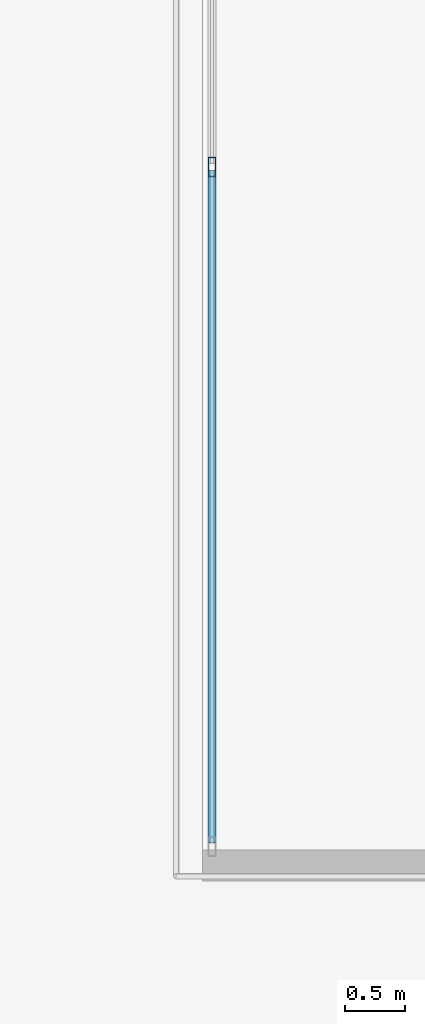
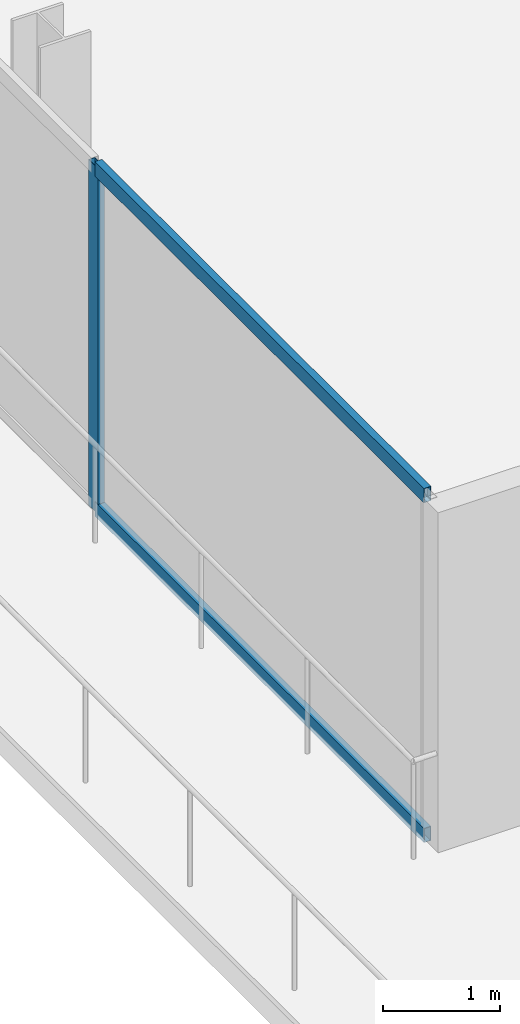
# One storey, part 3 of 21: 3 members, 1 element without a shape of its own.
"""IFC4 building model written with IfcOpenShell, lengths in metres."""

from ifc_helpers import new_model, si_unit, direction, frame, origin, origin_2d, place, context, subcontext, project, spatial, hollow_rectangle, extrude, material, layer, layer_set, material_profile, profile_set, type_object, element, aggregate, save


model = new_model("IFC4")

# Units and contexts
model_context = context("Model", 3, precision=1e-05, world=origin(), true_north=direction((0.0, 1.0)))
body_context = subcontext(model_context, "Body", "Model", "MODEL_VIEW")
ifc_project = project(units=[si_unit("LENGTHUNIT", "METRE"), si_unit("AREAUNIT", "SQUARE_METRE"), si_unit("VOLUMEUNIT", "CUBIC_METRE"), si_unit("PLANEANGLEUNIT", "RADIAN"), si_unit("MASSUNIT", "GRAM", prefix="KILO")], contexts=[model_context])

# Site, building, storey
site_placement = place(None, origin())
site = spatial("IfcSite", under=ifc_project, at=site_placement, CompositionType="ELEMENT")
building_placement = place(site_placement, origin())
building = spatial("IfcBuilding", under=site, at=building_placement, Name="Maruvema Waterfront Hotel and Observation Tower", CompositionType="ELEMENT")
storey_placement = place(building_placement, frame((0.0, 0.0, 322.0)))
storey = spatial("IfcBuildingStorey", under=building, at=storey_placement, Name="L79", CompositionType="ELEMENT", Elevation=322.0)

# Curtain wall, members
ifc_material_1 = material(Name="Anodised bronze aluminium and solar-control low-E IGU", Category="aluminium")
ifc_layer = layer(ifc_material_1, 0.159912109375, Name="Zone 4 Sky Residence Inner Curtain Wall System CW-05")
ifc_layer_set = layer_set([ifc_layer], Name="Anodised bronze aluminium and solar-control low-E IGU")
curtain_wall_type = type_object("IfcCurtainWallType", Name="Zone 4 Sky Residence Inner Curtain Wall System CW-05", PredefinedType="USERDEFINED", material=ifc_layer_set)
curtain_wall_placement = place(storey_placement, origin())
curtain_wall = element("IfcCurtainWall", 1, at=curtain_wall_placement, inside=storey, type_object=curtain_wall_type, Name="L79 Curtain Wall CW-L79-W", ObjectType="UNITISED CURTAIN WALL", PredefinedType="USERDEFINED")
ifc_material_2 = material(Name="Anodised architectural bronze aluminium", Category="aluminium")
ifc_material_profile_1 = material_profile(ifc_material_2, hollow_rectangle(XDim=0.070068359375, YDim=0.14990234375, WallThickness=0.00390625, at=origin_2d()), Name="ALU-T70x150")
ifc_profile_set_1 = profile_set([ifc_material_profile_1], Name="Anodised architectural bronze aluminium")
member_type_1 = type_object("IfcMemberType", Name="Curtain Wall Horizontal Transom ALU-T70x150", PredefinedType="USERDEFINED", material=ifc_profile_set_1)
member_1_placement = place(storey_placement, frame((17.780029296875, 25.2900390625, 0.030029296875), z_axis=(0.0, -1.0, 0.0), x_axis=(1.0, 0.0, 0.0)))
member_1 = element("IfcMember", 2, at=member_1_placement, type_object=member_type_1, Name="CW-05 transom 5.1", ObjectType="TRANSOM", PredefinedType="USERDEFINED", context=body_context, shape_type="SweptSolid", body=[
    extrude(hollow_rectangle(XDim=0.070068359375, YDim=0.14990234375, WallThickness=0.00390625, at=origin_2d()), origin(), (0.0, 0.0, 1.0), 5.630126953125),
])
member_2_placement = place(storey_placement, frame((17.780029296875, 25.2900390625, 3.580078125), z_axis=(0.0, -1.0, 0.0), x_axis=(1.0, 0.0, 0.0)))
member_2 = element("IfcMember", 3, at=member_2_placement, type_object=member_type_1, Name="CW-05 transom 5.2", ObjectType="TRANSOM", PredefinedType="USERDEFINED", context=body_context, shape_type="SweptSolid", body=[
    extrude(hollow_rectangle(XDim=0.070068359375, YDim=0.14990234375, WallThickness=0.00390625, at=origin_2d()), origin(), (0.0, 0.0, 1.0), 5.630126953125),
])
ifc_material_3 = material(Name="Anodised architectural bronze aluminium", Category="aluminium")
ifc_material_profile_2 = material_profile(ifc_material_3, hollow_rectangle(XDim=0.06494140625, YDim=0.1650390625, WallThickness=0.00390625, at=origin_2d()), Name="ALU-M65x165")
ifc_profile_set_2 = profile_set([ifc_material_profile_2], Name="Anodised architectural bronze aluminium")
member_type_2 = type_object("IfcMemberType", Name="Curtain Wall Primary Mullion ALU-M65x165", PredefinedType="MULLION", material=ifc_profile_set_2)
member_3_placement = place(storey_placement, frame((17.780029296875, 25.320068359375, 0.0), z_axis=(0.0, 0.0, 1.0), x_axis=(1.0, 0.0, 0.0)))
member_3 = element("IfcMember", 4, at=member_3_placement, type_object=member_type_2, Name="CW-05 mullion 5", PredefinedType="MULLION", context=body_context, shape_type="SweptSolid", body=[
    extrude(hollow_rectangle(XDim=0.06494140625, YDim=0.1650390625, WallThickness=0.00390625, at=origin_2d()), origin(), (0.0, 0.0, 1.0), 3.610107421875),
])
aggregate(curtain_wall, [member_3, member_1, member_2])

save(model, "model.ifc")
